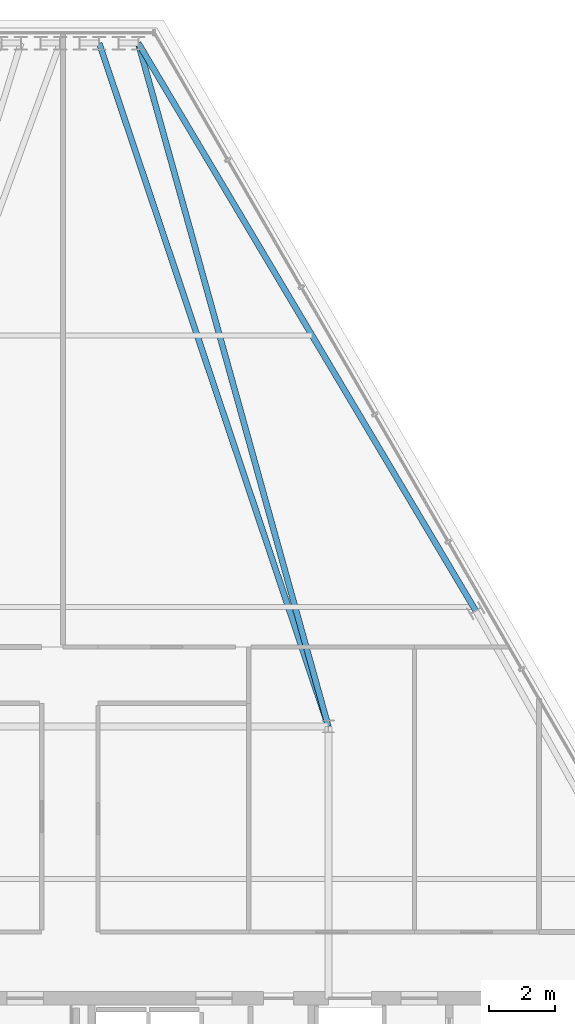
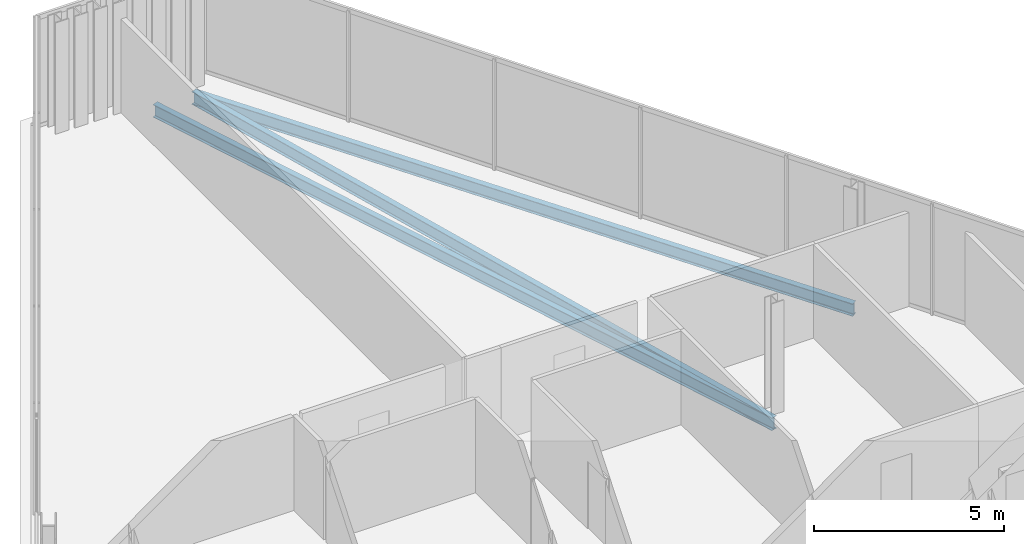
# One storey, part 20 of 35: 3 beams.
"""IFC4 building model written with IfcOpenShell, lengths in metres."""

from ifc_helpers import new_model, si_unit, direction, frame, origin, origin_2d, place, context, subcontext, project, spatial, i_section, extrude, material, material_profile, profile_set, type_object, element, save


model = new_model("IFC4")

# Units and contexts
model_context = context("Model", 3, precision=1e-05, world=origin(), true_north=direction((0.0, 1.0)))
body_context = subcontext(model_context, "Body", "Model", "MODEL_VIEW")
ifc_project = project(units=[si_unit("LENGTHUNIT", "METRE"), si_unit("AREAUNIT", "SQUARE_METRE"), si_unit("VOLUMEUNIT", "CUBIC_METRE"), si_unit("PLANEANGLEUNIT", "RADIAN"), si_unit("MASSUNIT", "GRAM", prefix="KILO")], contexts=[model_context])

# Site, building, storey
site_placement = place(None, origin())
site = spatial("IfcSite", under=ifc_project, at=site_placement, CompositionType="ELEMENT")
building_placement = place(site_placement, origin())
building = spatial("IfcBuilding", under=site, at=building_placement, Name="Ndaravel Arena Tower", CompositionType="ELEMENT")
storey_placement = place(building_placement, frame((0.0, 0.0, 271.199951171875)))
storey = spatial("IfcBuildingStorey", under=building, at=storey_placement, Name="L66", CompositionType="ELEMENT", Elevation=271.199951171875)

# Beams
ifc_material_1 = material(Name="Steel S355", Category="steel")
ifc_material_profile_1 = material_profile(ifc_material_1, i_section(OverallWidth=0.1787109375, OverallDepth=0.409423828125, WebThickness=0.0087890625, FlangeThickness=0.014404296875, FilletRadius=0.01025390625, at=origin_2d()), Name="UB 406x178x67")
ifc_profile_set_1 = profile_set([ifc_material_profile_1], Name="Steel S355")
beam_type_1 = type_object("IfcBeamType", Name="BM-GIRD-UB406", PredefinedType="BEAM", material=ifc_profile_set_1)
beam_1_placement = place(storey_placement, frame((44.065185546875, 43.818115234375, -0.424560546875), z_axis=(0.267973339228, -0.963426327989, 0.0), x_axis=(0.963426327989, 0.267973339228, 0.0)))
element("IfcBeam", 1, at=beam_1_placement, inside=storey, type_object=beam_type_1, Name="L66 Radial Floor Girder FG-11", PredefinedType="BEAM", context=body_context, shape_type="SweptSolid", body=[
    extrude(i_section(OverallWidth=0.1787109375, OverallDepth=0.409423828125, WebThickness=0.0087890625, FlangeThickness=0.014404296875, FilletRadius=0.01025390625, at=origin_2d()), origin(), (0.0, 0.0, 1.0), 21.40087890625),
])
beam_2_placement = place(storey_placement, frame((42.885009765625, 43.818115234375, -0.424560546875), z_axis=(0.317978556604, -0.948097905039, 0.0), x_axis=(0.948097905039, 0.317978556604, 0.0)))
element("IfcBeam", 2, at=beam_2_placement, inside=storey, type_object=beam_type_1, Name="L66 Radial Floor Girder FG-13", PredefinedType="BEAM", context=body_context, shape_type="SweptSolid", body=[
    extrude(i_section(OverallWidth=0.1787109375, OverallDepth=0.409423828125, WebThickness=0.0087890625, FlangeThickness=0.014404296875, FilletRadius=0.01025390625, at=origin_2d()), origin(), (0.0, 0.0, 1.0), 21.746826171875),
])
ifc_material_2 = material(Name="Steel S355", Category="steel")
ifc_material_profile_2 = material_profile(ifc_material_2, i_section(OverallWidth=0.179931640625, OverallDepth=0.39990234375, WebThickness=0.008544921875, FlangeThickness=0.013427734375, FilletRadius=0.02099609375, at=origin_2d()), Name="IPE 400")
ifc_profile_set_2 = profile_set([ifc_material_profile_2], Name="Steel S355")
beam_type_2 = type_object("IfcBeamType", Name="BM-SPAN-IPE400", PredefinedType="SPANDREL", material=ifc_profile_set_2)
beam_3_placement = place(storey_placement, frame((54.247314453125, 26.69287109375, -0.419921875), z_axis=(-0.511058754537, 0.85954578087, 0.0), x_axis=(-0.85954578087, -0.511058754537, 0.0)))
element("IfcBeam", 3, at=beam_3_placement, inside=storey, type_object=beam_type_2, Name="L66 Perimeter Spandrel Beam SP-10", PredefinedType="SPANDREL", context=body_context, shape_type="SweptSolid", body=[
    extrude(i_section(OverallWidth=0.179931640625, OverallDepth=0.39990234375, WebThickness=0.008544921875, FlangeThickness=0.013427734375, FilletRadius=0.02099609375, at=origin_2d()), origin(), (0.0, 0.0, 1.0), 19.923583984375),
])

save(model, "model.ifc")
